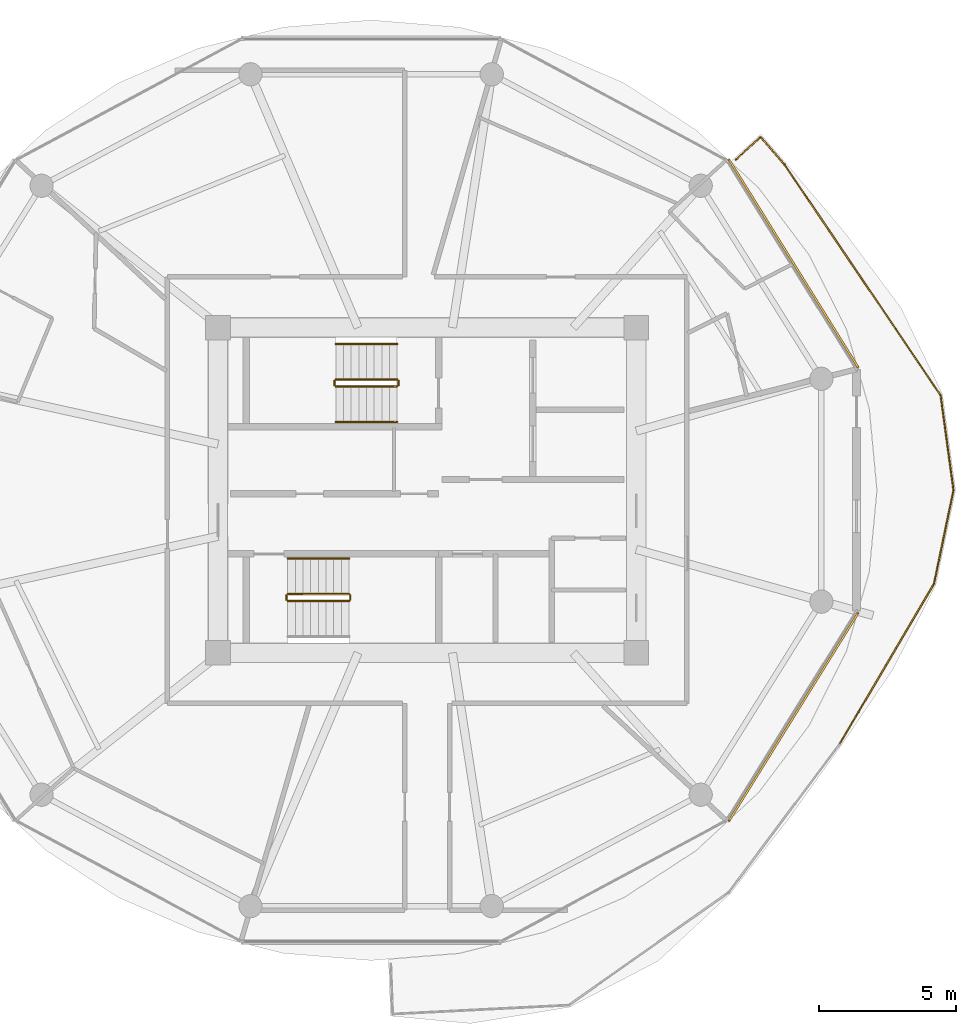
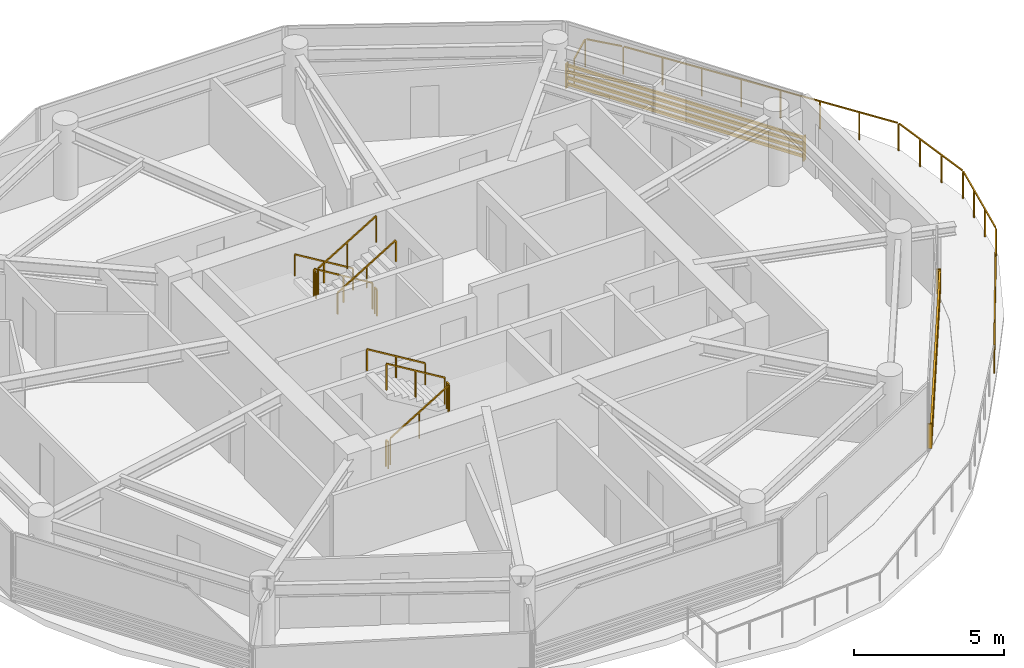
# One storey, part 22 of 23: 12 railings, 2 shading devices.
"""IFC4 building model written with IfcOpenShell, lengths in metres."""

from ifc_helpers import new_model, si_unit, direction, frame, origin, origin_2d, place, context, subcontext, project, spatial, rectangle, extrude, source, transform, mapped, material, type_object, type_shapes, element, save


model = new_model("IFC4")

# Units and contexts
model_context = context("Model", 3, precision=1e-05, world=origin(), true_north=direction((0.0, 1.0)))
body_context = subcontext(model_context, "Body", "Model", "MODEL_VIEW")
ifc_project = project(units=[si_unit("LENGTHUNIT", "METRE"), si_unit("AREAUNIT", "SQUARE_METRE"), si_unit("VOLUMEUNIT", "CUBIC_METRE"), si_unit("PLANEANGLEUNIT", "RADIAN"), si_unit("MASSUNIT", "GRAM", prefix="KILO")], contexts=[model_context])

# Site, building, storey
site_placement = place(None, origin())
site = spatial("IfcSite", under=ifc_project, at=site_placement, CompositionType="ELEMENT")
building_placement = place(site_placement, origin())
building = spatial("IfcBuilding", under=site, at=building_placement, Name="Norrkilde Senior Care Towers", CompositionType="ELEMENT")
storey_placement = place(building_placement, frame((0.0, 0.0, 93.199951171875)))
storey = spatial("IfcBuildingStorey", under=building, at=storey_placement, Name="L28", CompositionType="ELEMENT", Elevation=93.199951171875)

# Railings
ifc_material_1 = material(Name="Anodised Aluminium", Category="aluminium")
railing_type_1 = type_object("IfcRailingType", Name="Balcony Swirl Ribbon Guardrail 1150", PredefinedType="GUARDRAIL", material=ifc_material_1)
railing_1_placement = place(storey_placement, frame((39.28173828125, 12.082763671875, 0.0)))
element("IfcRailing", 1, at=railing_1_placement, inside=storey, type_object=railing_type_1, Name="L28 Perimeter Safety Guard 02", PredefinedType="GUARDRAIL", context=body_context, shape_type="SweptSolid", body=[
    extrude(rectangle(XDim=0.048095703125, YDim=0.048095703125, at=origin_2d()), frame((0.0, 0.0, 1.1259765625), z_axis=(0.737997902208, 0.674803005578, 0.0), x_axis=(-0.674803005578, 0.737997902208, 0.0)), (0.0, 0.0, 1.0), 1.1953125),
    extrude(rectangle(XDim=0.048095703125, YDim=0.048095703125, at=origin_2d()), frame((0.939208984375, 0.803466796875, 1.1259765625), z_axis=(0.657036348453, -0.75385889715, 0.0), x_axis=(0.75385889715, 0.657036348453, 0.0)), (0.0, 0.0, 1.0), 1.24951171875),
    extrude(rectangle(XDim=0.048095703125, YDim=0.048095703125, at=origin_2d()), frame((1.81005859375, -0.203369140625, 1.1259765625), z_axis=(0.560354325505, -0.828252998719, 0.0), x_axis=(0.828252998719, 0.560354325505, 0.0)), (0.0, 0.0, 1.0), 10.108642578125),
    extrude(rectangle(XDim=0.048095703125, YDim=0.048095703125, at=origin_2d()), frame((7.5029296875, -8.650146484375, 1.1259765625), z_axis=(0.135026103459, -0.990842041591, 0.0), x_axis=(0.990842041591, 0.135026103459, 0.0)), (0.0, 0.0, 1.0), 3.42041015625),
    extrude(rectangle(XDim=0.048095703125, YDim=0.048095703125, at=origin_2d()), frame((7.9619140625, -12.119873046875, 1.1259765625), z_axis=(-0.203943112989, -0.978982740739, 0.0), x_axis=(0.978982740739, -0.203943112989, 0.0)), (0.0, 0.0, 1.0), 3.41845703125),
    extrude(rectangle(XDim=0.048095703125, YDim=0.048095703125, at=origin_2d()), frame((7.235595703125, -15.541748046875, 1.1259765625), z_axis=(-0.507518703677, -0.861640740342, 0.0), x_axis=(0.861640740342, -0.507518703677, 0.0)), (0.0, 0.0, 1.0), 6.762939453125),
    extrude(rectangle(XDim=0.0419921875, YDim=0.0419921875, at=origin_2d()), origin(), (0.0, 0.0, 1.0), 1.099853515625),
    extrude(rectangle(XDim=0.0419921875, YDim=0.0419921875, at=origin_2d()), frame((0.912353515625, 0.834228515625, 0.0)), (0.0, 0.0, 1.0), 1.099853515625),
    extrude(rectangle(XDim=0.0419921875, YDim=0.0419921875, at=origin_2d()), frame((1.787109375, -0.16943359375, 0.0)), (0.0, 0.0, 1.0), 1.099853515625),
    extrude(rectangle(XDim=0.0419921875, YDim=0.0419921875, at=origin_2d()), frame((2.602783203125, -1.375244140625, 0.0)), (0.0, 0.0, 1.0), 1.099853515625),
    extrude(rectangle(XDim=0.0419921875, YDim=0.0419921875, at=origin_2d()), frame((3.418701171875, -2.580810546875, 0.0)), (0.0, 0.0, 1.0), 1.099853515625),
    extrude(rectangle(XDim=0.0419921875, YDim=0.0419921875, at=origin_2d()), frame((4.234375, -3.78662109375, 0.0)), (0.0, 0.0, 1.0), 1.099853515625),
    extrude(rectangle(XDim=0.0419921875, YDim=0.0419921875, at=origin_2d()), frame((5.050048828125, -4.992431640625, 0.0)), (0.0, 0.0, 1.0), 1.099853515625),
    extrude(rectangle(XDim=0.0419921875, YDim=0.0419921875, at=origin_2d()), frame((5.86572265625, -6.1982421875, 0.0)), (0.0, 0.0, 1.0), 1.099853515625),
    extrude(rectangle(XDim=0.0419921875, YDim=0.0419921875, at=origin_2d()), frame((6.681640625, -7.40380859375, 0.0)), (0.0, 0.0, 1.0), 1.099853515625),
    extrude(rectangle(XDim=0.0419921875, YDim=0.0419921875, at=origin_2d()), frame((7.497314453125, -8.609619140625, 0.0)), (0.0, 0.0, 1.0), 1.099853515625),
    extrude(rectangle(XDim=0.0419921875, YDim=0.0419921875, at=origin_2d()), frame((7.655029296875, -9.766357421875, 0.0)), (0.0, 0.0, 1.0), 1.099853515625),
    extrude(rectangle(XDim=0.0419921875, YDim=0.0419921875, at=origin_2d()), frame((7.8125, -10.923095703125, 0.0)), (0.0, 0.0, 1.0), 1.099853515625),
    extrude(rectangle(XDim=0.0419921875, YDim=0.0419921875, at=origin_2d()), frame((7.97021484375, -12.079833984375, 0.0)), (0.0, 0.0, 1.0), 1.099853515625),
    extrude(rectangle(XDim=0.0419921875, YDim=0.0419921875, at=origin_2d()), frame((7.732177734375, -13.22216796875, 0.0)), (0.0, 0.0, 1.0), 1.099853515625),
    extrude(rectangle(XDim=0.0419921875, YDim=0.0419921875, at=origin_2d()), frame((7.494384765625, -14.3642578125, 0.0)), (0.0, 0.0, 1.0), 1.099853515625),
    extrude(rectangle(XDim=0.0419921875, YDim=0.0419921875, at=origin_2d()), frame((7.25634765625, -15.506591796875, 0.0)), (0.0, 0.0, 1.0), 1.099853515625),
    extrude(rectangle(XDim=0.0419921875, YDim=0.0419921875, at=origin_2d()), frame((6.565673828125, -16.67919921875, 0.0)), (0.0, 0.0, 1.0), 1.099853515625),
    extrude(rectangle(XDim=0.0419921875, YDim=0.0419921875, at=origin_2d()), frame((5.875, -17.8515625, 0.0)), (0.0, 0.0, 1.0), 1.099853515625),
    extrude(rectangle(XDim=0.0419921875, YDim=0.0419921875, at=origin_2d()), frame((5.1845703125, -19.024169921875, 0.0)), (0.0, 0.0, 1.0), 1.099853515625),
    extrude(rectangle(XDim=0.0419921875, YDim=0.0419921875, at=origin_2d()), frame((4.493896484375, -20.196533203125, 0.0)), (0.0, 0.0, 1.0), 1.099853515625),
    extrude(rectangle(XDim=0.0419921875, YDim=0.0419921875, at=origin_2d()), frame((3.80322265625, -21.369140625, 0.0)), (0.0, 0.0, 1.0), 1.099853515625),
])
ifc_material_2 = material(Name="Stainless Steel", Category="steel")
railing_type_2 = type_object("IfcRailingType", Name="Stair and Terrace Guardrail 1100", PredefinedType="GUARDRAIL", material=ifc_material_2)
railing_2_placement = place(storey_placement, frame((26.89990234375, 4.050048828125, 0.16943359375)))
element("IfcRailing", 2, at=railing_2_placement, inside=storey, type_object=railing_type_2, Name="L28 ST-E1 stair guard 1", PredefinedType="GUARDRAIL", context=body_context, shape_type="SweptSolid", body=[
    extrude(rectangle(XDim=0.048095703125, YDim=0.048095703125, at=origin_2d()), frame((0.0, 0.0, 1.076171875), z_axis=(-0.855512035549, 0.0, 0.517782924622), x_axis=(0.0, -1.0, 0.0)), (0.0, 0.0, 1.0), 2.618408203125),
    extrude(rectangle(XDim=0.0419921875, YDim=0.0419921875, at=origin_2d()), origin(), (0.0, 0.0, 1.0), 1.050048828125),
    extrude(rectangle(XDim=0.0419921875, YDim=0.0419921875, at=origin_2d()), frame((-1.1201171875, 0.0, 0.677734375)), (0.0, 0.0, 1.0), 1.050048828125),
    extrude(rectangle(XDim=0.0419921875, YDim=0.0419921875, at=origin_2d()), frame((-2.239990234375, 0.0, 1.355712890625)), (0.0, 0.0, 1.0), 1.050048828125),
])
railing_3_placement = place(storey_placement, frame((24.610107421875, 4.0, 1.525146484375)))
element("IfcRailing", 3, at=railing_3_placement, inside=storey, type_object=railing_type_2, Name="L28 ST-E1 stair guard 2", PredefinedType="GUARDRAIL", context=body_context, shape_type="SweptSolid", body=[
    extrude(rectangle(XDim=0.048095703125, YDim=0.048095703125, at=origin_2d()), frame((0.0, 0.0, 1.076171875), z_axis=(0.0, -1.0, 0.0), x_axis=(1.0, 0.0, 0.0)), (0.0, 0.0, 1.0), 0.14990234375),
    extrude(rectangle(XDim=0.0419921875, YDim=0.0419921875, at=origin_2d()), origin(), (0.0, 0.0, 1.0), 1.050048828125),
    extrude(rectangle(XDim=0.0419921875, YDim=0.0419921875, at=origin_2d()), frame((0.0, -0.14990234375, 0.0)), (0.0, 0.0, 1.0), 1.050048828125),
])
railing_4_placement = place(storey_placement, frame((24.659912109375, 3.800048828125, 1.694580078125)))
element("IfcRailing", 4, at=railing_4_placement, inside=storey, type_object=railing_type_2, Name="L28 ST-E1 stair guard 3", PredefinedType="GUARDRAIL", context=body_context, shape_type="SweptSolid", body=[
    extrude(rectangle(XDim=0.048095703125, YDim=0.048095703125, at=origin_2d()), frame((0.0, 0.0, 1.076171875), z_axis=(0.855553338991, 0.0, 0.51771467445), x_axis=(0.0, 1.0, 0.0)), (0.0, 0.0, 1.0), 2.6181640625),
    extrude(rectangle(XDim=0.0419921875, YDim=0.0419921875, at=origin_2d()), origin(), (0.0, 0.0, 1.0), 1.050048828125),
    extrude(rectangle(XDim=0.0419921875, YDim=0.0419921875, at=origin_2d()), frame((1.1201171875, 0.0, 0.677734375)), (0.0, 0.0, 1.0), 1.050048828125),
    extrude(rectangle(XDim=0.0419921875, YDim=0.0419921875, at=origin_2d()), frame((2.239990234375, 0.0, 1.35546875)), (0.0, 0.0, 1.0), 1.050048828125),
])
railing_5_placement = place(storey_placement, frame((26.949951171875, 4.0, 0.0)))
element("IfcRailing", 5, at=railing_5_placement, inside=storey, type_object=railing_type_2, Name="L28 ST-E1 stair guard 4", PredefinedType="GUARDRAIL", context=body_context, shape_type="SweptSolid", body=[
    extrude(rectangle(XDim=0.048095703125, YDim=0.048095703125, at=origin_2d()), frame((0.0, 0.0, 1.076171875), z_axis=(0.0, -1.0, 0.0), x_axis=(1.0, 0.0, 0.0)), (0.0, 0.0, 1.0), 0.14990234375),
    extrude(rectangle(XDim=0.0419921875, YDim=0.0419921875, at=origin_2d()), origin(), (0.0, 0.0, 1.0), 1.050048828125),
    extrude(rectangle(XDim=0.0419921875, YDim=0.0419921875, at=origin_2d()), frame((0.0, -0.14990234375, 0.0)), (0.0, 0.0, 1.0), 1.050048828125),
])
railing_6_placement = place(storey_placement, frame((22.89990234375, -4.050048828125, 0.16943359375)))
element("IfcRailing", 6, at=railing_6_placement, inside=storey, type_object=railing_type_2, Name="L28 ST-E2 stair guard 1", PredefinedType="GUARDRAIL", context=body_context, shape_type="SweptSolid", body=[
    extrude(rectangle(XDim=0.048095703125, YDim=0.048095703125, at=origin_2d()), frame((0.0, 0.0, 1.076171875), z_axis=(0.855512035549, 0.0, 0.517782924622), x_axis=(0.0, 1.0, 0.0)), (0.0, 0.0, 1.0), 2.618408203125),
    extrude(rectangle(XDim=0.0419921875, YDim=0.0419921875, at=origin_2d()), origin(), (0.0, 0.0, 1.0), 1.050048828125),
    extrude(rectangle(XDim=0.0419921875, YDim=0.0419921875, at=origin_2d()), frame((1.1201171875, 0.0, 0.677734375)), (0.0, 0.0, 1.0), 1.050048828125),
    extrude(rectangle(XDim=0.0419921875, YDim=0.0419921875, at=origin_2d()), frame((2.239990234375, 0.0, 1.355712890625)), (0.0, 0.0, 1.0), 1.050048828125),
])
railing_7_placement = place(storey_placement, frame((25.18994140625, -4.0, 1.525146484375)))
element("IfcRailing", 7, at=railing_7_placement, inside=storey, type_object=railing_type_2, Name="L28 ST-E2 stair guard 2", PredefinedType="GUARDRAIL", context=body_context, shape_type="SweptSolid", body=[
    extrude(rectangle(XDim=0.048095703125, YDim=0.048095703125, at=origin_2d()), frame((0.0, 0.0, 1.076171875), z_axis=(0.0, 1.0, 0.0), x_axis=(-1.0, 0.0, 0.0)), (0.0, 0.0, 1.0), 0.14990234375),
    extrude(rectangle(XDim=0.0419921875, YDim=0.0419921875, at=origin_2d()), origin(), (0.0, 0.0, 1.0), 1.050048828125),
    extrude(rectangle(XDim=0.0419921875, YDim=0.0419921875, at=origin_2d()), frame((0.0, 0.14990234375, 0.0)), (0.0, 0.0, 1.0), 1.050048828125),
])
railing_8_placement = place(storey_placement, frame((25.139892578125, -3.800048828125, 1.694580078125)))
element("IfcRailing", 8, at=railing_8_placement, inside=storey, type_object=railing_type_2, Name="L28 ST-E2 stair guard 3", PredefinedType="GUARDRAIL", context=body_context, shape_type="SweptSolid", body=[
    extrude(rectangle(XDim=0.048095703125, YDim=0.048095703125, at=origin_2d()), frame((0.0, 0.0, 1.076171875), z_axis=(-0.855553338991, 0.0, 0.51771467445), x_axis=(0.0, -1.0, 0.0)), (0.0, 0.0, 1.0), 2.6181640625),
    extrude(rectangle(XDim=0.0419921875, YDim=0.0419921875, at=origin_2d()), origin(), (0.0, 0.0, 1.0), 1.050048828125),
    extrude(rectangle(XDim=0.0419921875, YDim=0.0419921875, at=origin_2d()), frame((-1.1201171875, 0.0, 0.677734375)), (0.0, 0.0, 1.0), 1.050048828125),
    extrude(rectangle(XDim=0.0419921875, YDim=0.0419921875, at=origin_2d()), frame((-2.239990234375, 0.0, 1.35546875)), (0.0, 0.0, 1.0), 1.050048828125),
])
railing_9_placement = place(storey_placement, frame((22.85009765625, -4.0, 0.0)))
element("IfcRailing", 9, at=railing_9_placement, inside=storey, type_object=railing_type_2, Name="L28 ST-E2 stair guard 4", PredefinedType="GUARDRAIL", context=body_context, shape_type="SweptSolid", body=[
    extrude(rectangle(XDim=0.048095703125, YDim=0.048095703125, at=origin_2d()), frame((0.0, 0.0, 1.076171875), z_axis=(0.0, 1.0, 0.0), x_axis=(-1.0, 0.0, 0.0)), (0.0, 0.0, 1.0), 0.14990234375),
    extrude(rectangle(XDim=0.0419921875, YDim=0.0419921875, at=origin_2d()), origin(), (0.0, 0.0, 1.0), 1.050048828125),
    extrude(rectangle(XDim=0.0419921875, YDim=0.0419921875, at=origin_2d()), frame((0.0, 0.14990234375, 0.0)), (0.0, 0.0, 1.0), 1.050048828125),
])
ifc_material_3 = material(Name="Nordic Ash Timber", Category="wood")
railing_type_3 = type_object("IfcRailingType", Name="Wall and Stair Handrail 900", PredefinedType="HANDRAIL", material=ifc_material_3)
railing_10_placement = place(storey_placement, frame((26.89990234375, 5.35009765625, 0.16943359375)))
element("IfcRailing", 10, at=railing_10_placement, inside=storey, type_object=railing_type_3, Name="L28 ST-E1 stair handrail 1", PredefinedType="HANDRAIL", context=body_context, shape_type="SweptSolid", body=[
    extrude(rectangle(XDim=0.048095703125, YDim=0.048095703125, at=origin_2d()), frame((0.0, 0.0, 0.8759765625), z_axis=(-0.855512035549, 0.0, 0.517782924622), x_axis=(0.0, -1.0, 0.0)), (0.0, 0.0, 1.0), 2.618408203125),
    extrude(rectangle(XDim=0.0419921875, YDim=0.0419921875, at=origin_2d()), origin(), (0.0, 0.0, 1.0), 0.849853515625),
    extrude(rectangle(XDim=0.0419921875, YDim=0.0419921875, at=origin_2d()), frame((-1.1201171875, 0.0, 0.677734375)), (0.0, 0.0, 1.0), 0.849853515625),
    extrude(rectangle(XDim=0.0419921875, YDim=0.0419921875, at=origin_2d()), frame((-2.239990234375, 0.0, 1.355712890625)), (0.0, 0.0, 1.0), 0.849853515625),
])
railing_11_placement = place(storey_placement, frame((24.659912109375, 2.5, 1.694580078125)))
element("IfcRailing", 11, at=railing_11_placement, inside=storey, type_object=railing_type_3, Name="L28 ST-E1 stair handrail 2", PredefinedType="HANDRAIL", context=body_context, shape_type="SweptSolid", body=[
    extrude(rectangle(XDim=0.048095703125, YDim=0.048095703125, at=origin_2d()), frame((0.0, 0.0, 0.8759765625), z_axis=(0.855553338991, 0.0, 0.51771467445), x_axis=(0.0, 1.0, 0.0)), (0.0, 0.0, 1.0), 2.6181640625),
    extrude(rectangle(XDim=0.0419921875, YDim=0.0419921875, at=origin_2d()), origin(), (0.0, 0.0, 1.0), 0.849853515625),
    extrude(rectangle(XDim=0.0419921875, YDim=0.0419921875, at=origin_2d()), frame((1.1201171875, 0.0, 0.677734375)), (0.0, 0.0, 1.0), 0.849853515625),
    extrude(rectangle(XDim=0.0419921875, YDim=0.0419921875, at=origin_2d()), frame((2.239990234375, 0.0, 1.35546875)), (0.0, 0.0, 1.0), 0.849853515625),
])
railing_12_placement = place(storey_placement, frame((25.139892578125, -2.5, 1.694580078125)))
element("IfcRailing", 12, at=railing_12_placement, inside=storey, type_object=railing_type_3, Name="L28 ST-E2 stair handrail 2", PredefinedType="HANDRAIL", context=body_context, shape_type="SweptSolid", body=[
    extrude(rectangle(XDim=0.048095703125, YDim=0.048095703125, at=origin_2d()), frame((0.0, 0.0, 0.8759765625), z_axis=(-0.855553338991, 0.0, 0.51771467445), x_axis=(0.0, -1.0, 0.0)), (0.0, 0.0, 1.0), 2.6181640625),
    extrude(rectangle(XDim=0.0419921875, YDim=0.0419921875, at=origin_2d()), origin(), (0.0, 0.0, 1.0), 0.849853515625),
    extrude(rectangle(XDim=0.0419921875, YDim=0.0419921875, at=origin_2d()), frame((-1.1201171875, 0.0, 0.677734375)), (0.0, 0.0, 1.0), 0.849853515625),
    extrude(rectangle(XDim=0.0419921875, YDim=0.0419921875, at=origin_2d()), frame((-2.239990234375, 0.0, 1.35546875)), (0.0, 0.0, 1.0), 0.849853515625),
])

# Shading devices
ifc_material_4 = material(Name="Architectural Terracotta", Category="masonry")
shading_device_type = type_object("IfcShadingDeviceType", Name="Horizontal Terracotta Baguette Rack", PredefinedType="USERDEFINED", material=ifc_material_4)
shared_shape = source(origin(), body_context, "Body", "SweptSolid", [
    extrude(rectangle(XDim=0.070068359375, YDim=0.110107421875, at=origin_2d()), frame((0.0, 0.090087890625, 0.125), z_axis=(1.0, 0.0, 0.0), x_axis=(0.0, 1.0, 0.0)), (0.0, 0.0, 1.0), 9.01416015625),
    extrude(rectangle(XDim=0.070068359375, YDim=0.110107421875, at=origin_2d()), frame((0.0, 0.090087890625, 0.375), z_axis=(1.0, 0.0, 0.0), x_axis=(0.0, 1.0, 0.0)), (0.0, 0.0, 1.0), 9.01416015625),
    extrude(rectangle(XDim=0.070068359375, YDim=0.110107421875, at=origin_2d()), frame((0.0, 0.090087890625, 0.625), z_axis=(1.0, 0.0, 0.0), x_axis=(0.0, 1.0, 0.0)), (0.0, 0.0, 1.0), 9.01416015625),
    extrude(rectangle(XDim=0.070068359375, YDim=0.110107421875, at=origin_2d()), frame((0.0, 0.090087890625, 0.875), z_axis=(1.0, 0.0, 0.0), x_axis=(0.0, 1.0, 0.0)), (0.0, 0.0, 1.0), 9.01416015625),
    extrude(rectangle(XDim=0.050048828125, YDim=0.1552734375, at=origin_2d()), frame((0.02490234375, 0.047607421875, 0.0)), (0.0, 0.0, 1.0), 1.0),
    extrude(rectangle(XDim=0.050048828125, YDim=0.1552734375, at=origin_2d()), frame((8.9892578125, 0.047607421875, 0.0)), (0.0, 0.0, 1.0), 1.0),
])
type_shapes(shading_device_type, [shared_shape])
for number, where, z_axis, x_axis, name in (
    (13, (38.946533203125, 12.077392578125, 0.080078125), (0.0, 0.0, 1.0), (0.527734142246, -0.849412274525, 0.0), "L28 Drum E Terracotta Baguette Screen 00"),
    (14, (43.70361328125, -4.420654296875, 0.080078125), (0.0, 0.0, 1.0), (-0.527734142246, -0.849412274525, 0.0), "L28 Drum E Terracotta Baguette Screen 10"),
):
    element("IfcShadingDevice", number, at=place(storey_placement, frame(where, z_axis=z_axis, x_axis=x_axis)), inside=storey, type_object=shading_device_type, Name=name, ObjectType="BAGUETTE", PredefinedType="USERDEFINED", context=body_context, shape_type="MappedRepresentation", body=[
        mapped(shared_shape, transform((0.0, 0.0, 0.0), x_axis=(1.0, 0.0, 0.0), y_axis=(0.0, 1.0, 0.0), z_axis=(0.0, 0.0, 1.0), scale=1.0)),
    ])

save(model, "model.ifc")
